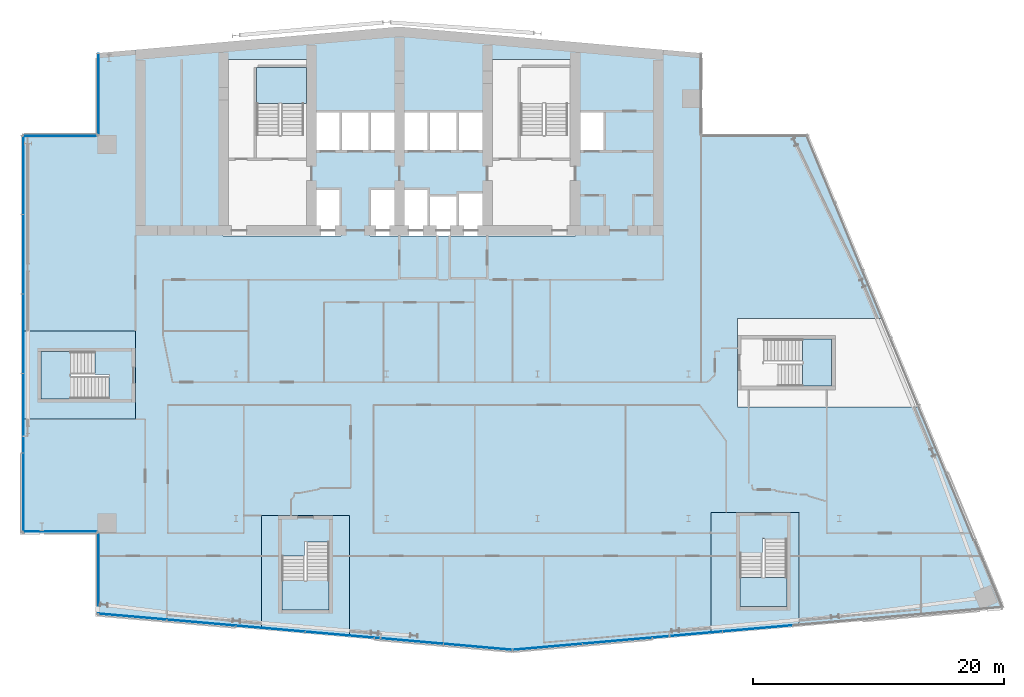
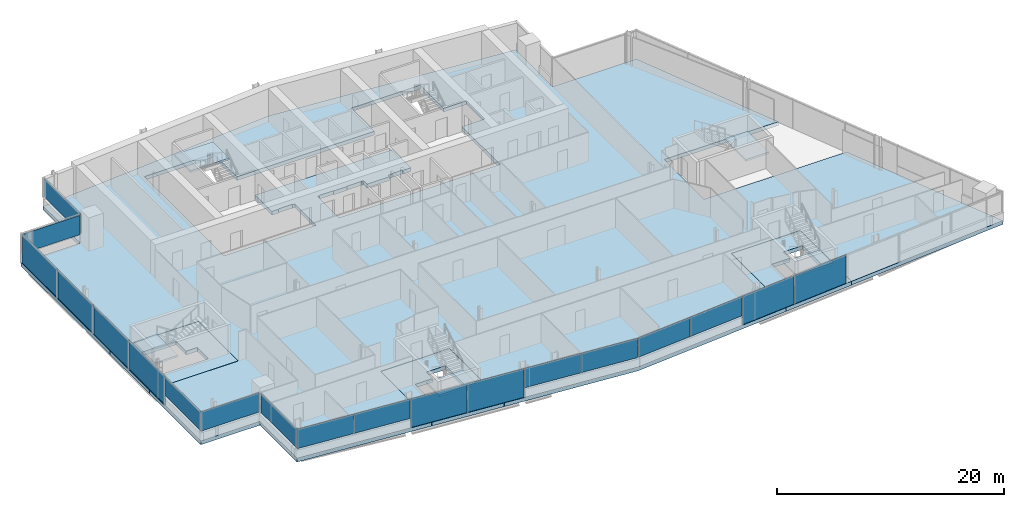
# One storey, part 13 of 24: 19 plates, 9 slabs, 12 elements without a shape of their own.
"""IFC4 building model written with IfcOpenShell, lengths in metres."""

from ifc_helpers import new_model, si_unit, direction, frame, origin, origin_2d, place, context, subcontext, project, spatial, polyline, rectangle, outline, extrude, material, layer, layer_set, type_object, element, aggregate, save


model = new_model("IFC4")

# Units and contexts
model_context = context("Model", 3, precision=1e-05, world=origin(), true_north=direction((0.0, 1.0)))
body_context = subcontext(model_context, "Body", "Model", "MODEL_VIEW")
ifc_project = project(units=[si_unit("LENGTHUNIT", "METRE"), si_unit("AREAUNIT", "SQUARE_METRE"), si_unit("VOLUMEUNIT", "CUBIC_METRE"), si_unit("PLANEANGLEUNIT", "RADIAN"), si_unit("MASSUNIT", "GRAM", prefix="KILO")], contexts=[model_context])

# Site, building, storey
site_placement = place(None, origin())
site = spatial("IfcSite", under=ifc_project, at=site_placement, CompositionType="ELEMENT")
building_placement = place(site_placement, origin())
building = spatial("IfcBuilding", under=site, at=building_placement, Name="Wharfspan Tower", CompositionType="ELEMENT")
storey_placement = place(building_placement, frame((0.0, 0.0, 198.699951)))
storey = spatial("IfcBuildingStorey", under=building, at=storey_placement, Name="L49", CompositionType="ELEMENT", Elevation=198.699951)

# Curtain wall, plates
ifc_material_1 = material(Name="Aluminium 6063-T6", Category="aluminium")
curtain_wall_type_1 = type_object("IfcCurtainWallType", Name="CURTAIN WALL FACETED FRONT", PredefinedType="NOTDEFINED", material=ifc_material_1)
curtain_wall_1_placement = place(storey_placement, origin())
curtain_wall_1 = element("IfcCurtainWall", 1, at=curtain_wall_1_placement, inside=storey, type_object=curtain_wall_type_1, Name="Curtain wall S1", PredefinedType="NOTDEFINED")
ifc_material_2 = material(Name="Glass clear low-iron double glazing", Category="glass")
ifc_layer_1 = layer(ifc_material_2, 0.040039)
ifc_layer_set_1 = layer_set([ifc_layer_1], Name="Glass clear low-iron double glazing")
plate_type_1 = type_object("IfcPlateType", Name="GLASS PANEL FACETED FRONT 40", PredefinedType="CURTAIN_PANEL", material=ifc_layer_set_1)
plate_1_placement = place(storey_placement, frame((15.770264, 3.692871, 1.0), z_axis=(0.0, 0.0, 1.0), x_axis=(0.996198, -0.087156, 0.0)))
plate_1 = element("IfcPlate", 2, at=plate_1_placement, type_object=plate_type_1, Name="Curtain wall S1 panel 1", PredefinedType="CURTAIN_PANEL", context=body_context, shape_type="SweptSolid", body=[
    extrude(rectangle(XDim=5.430908, YDim=0.040039, at=origin_2d()), origin(), (0.0, 0.0, 1.0), 2.070068),
])
plate_2_placement = place(storey_placement, frame((21.255127, 3.213135, 1.0), z_axis=(0.0, 0.0, 1.0), x_axis=(0.996198, -0.087156, 0.0)))
plate_2 = element("IfcPlate", 3, at=plate_2_placement, type_object=plate_type_1, Name="Curtain wall S1 panel 2", PredefinedType="CURTAIN_PANEL", context=body_context, shape_type="SweptSolid", body=[
    extrude(rectangle(XDim=5.460938, YDim=0.040039, at=origin_2d()), origin(), (0.0, 0.0, 1.0), 2.070068),
])
plate_3_placement = place(storey_placement, frame((37.755127, 1.769531, 1.0), z_axis=(0.0, 0.0, 1.0), x_axis=(0.996198, -0.087156, 0.0)))
plate_3 = element("IfcPlate", 4, at=plate_3_placement, type_object=plate_type_1, Name="Curtain wall S1 panel 5", PredefinedType="CURTAIN_PANEL", context=body_context, shape_type="SweptSolid", body=[
    extrude(rectangle(XDim=5.460938, YDim=0.040039, at=origin_2d()), origin(), (0.0, 0.0, 1.0), 2.070068),
])
plate_4_placement = place(storey_placement, frame((43.240234, 1.289551, 1.0), z_axis=(0.0, 0.0, 1.0), x_axis=(0.996198, -0.087156, 0.0)))
plate_4 = element("IfcPlate", 5, at=plate_4_placement, type_object=plate_type_1, Name="Curtain wall S1 panel 6", PredefinedType="CURTAIN_PANEL", context=body_context, shape_type="SweptSolid", body=[
    extrude(rectangle(XDim=5.430908, YDim=0.040039, at=origin_2d()), origin(), (0.0, 0.0, 1.0), 2.070068),
])

curtain_wall_2_placement = place(storey_placement, origin())
curtain_wall_2 = element("IfcCurtainWall", 6, at=curtain_wall_2_placement, inside=storey, type_object=curtain_wall_type_1, Name="Curtain wall S2", PredefinedType="NOTDEFINED")
plate_5_placement = place(storey_placement, frame((48.79541, 1.292725, 1.0), z_axis=(0.0, 0.0, 1.0), x_axis=(0.996198, 0.087156, 0.0)))
plate_5 = element("IfcPlate", 7, at=plate_5_placement, type_object=plate_type_1, Name="Curtain wall S2 panel 1", PredefinedType="CURTAIN_PANEL", context=body_context, shape_type="SweptSolid", body=[
    extrude(rectangle(XDim=5.502686, YDim=0.040039, at=origin_2d()), origin(), (0.0, 0.0, 1.0), 2.070068),
])
plate_6_placement = place(storey_placement, frame((54.351807, 1.778809, 1.0), z_axis=(0.0, 0.0, 1.0), x_axis=(0.996198, 0.087156, 0.0)))
plate_6 = element("IfcPlate", 8, at=plate_6_placement, type_object=plate_type_1, Name="Curtain wall S2 panel 2", PredefinedType="CURTAIN_PANEL", context=body_context, shape_type="SweptSolid", body=[
    extrude(rectangle(XDim=5.532715, YDim=0.040039, at=origin_2d()), origin(), (0.0, 0.0, 1.0), 2.070068),
])

# Curtain wall, plate
curtain_wall_type_2 = type_object("IfcCurtainWallType", Name="CURTAIN WALL PROW AND END", PredefinedType="NOTDEFINED", material=ifc_material_1)
curtain_wall_3_placement = place(storey_placement, origin())
curtain_wall_3 = element("IfcCurtainWall", 9, at=curtain_wall_3_placement, inside=storey, type_object=curtain_wall_type_2, Name="Curtain wall NRW-V", PredefinedType="NOTDEFINED")
ifc_layer_2 = layer(ifc_material_2, 0.040039)
ifc_layer_set_2 = layer_set([ifc_layer_2], Name="Glass clear low-iron double glazing")
plate_type_2 = type_object("IfcPlateType", Name="GLASS PANEL PROW AND END 40", PredefinedType="CURTAIN_PANEL", material=ifc_layer_set_2)
plate_7_placement = place(storey_placement, frame((13.080078, 45.262451, 1.0), z_axis=(0.0, 0.0, 1.0), x_axis=(0.0, -1.0, 0.0)))
plate_7 = element("IfcPlate", 10, at=plate_7_placement, type_object=plate_type_2, Name="Curtain wall NRW-V panel 1", PredefinedType="CURTAIN_PANEL", context=body_context, shape_type="SweptSolid", body=[
    extrude(rectangle(XDim=6.405029, YDim=0.040039, at=origin_2d()), origin(), (0.0, 0.0, 1.0), 2.070068),
])
aggregate(curtain_wall_3, [plate_7])

curtain_wall_4_placement = place(storey_placement, origin())
curtain_wall_4 = element("IfcCurtainWall", 11, at=curtain_wall_4_placement, inside=storey, type_object=curtain_wall_type_2, Name="Curtain wall NRW-H", PredefinedType="NOTDEFINED")
plate_8_placement = place(storey_placement, frame((10.0, 41.919922, 1.0), z_axis=(0.0, 0.0, 1.0), x_axis=(-1.0, 0.0, 0.0)))
plate_8 = element("IfcPlate", 12, at=plate_8_placement, type_object=plate_type_2, Name="Curtain wall NRW-H panel 1", PredefinedType="CURTAIN_PANEL", context=body_context, shape_type="SweptSolid", body=[
    extrude(rectangle(XDim=5.879883, YDim=0.040039, at=origin_2d()), origin(), (0.0, 0.0, 1.0), 2.070068),
])
aggregate(curtain_wall_4, [plate_8])

curtain_wall_5_placement = place(storey_placement, origin())
curtain_wall_5 = element("IfcCurtainWall", 13, at=curtain_wall_5_placement, inside=storey, type_object=curtain_wall_type_2, Name="Curtain wall W", PredefinedType="NOTDEFINED")
plate_9_placement = place(storey_placement, frame((7.080078, 13.574951, 1.0), z_axis=(0.0, 0.0, 1.0), x_axis=(0.0, -1.0, 0.0)))
plate_9 = element("IfcPlate", 14, at=plate_9_placement, type_object=plate_type_2, Name="Curtain wall W panel 5", PredefinedType="CURTAIN_PANEL", context=body_context, shape_type="SweptSolid", body=[
    extrude(rectangle(XDim=6.22998, YDim=0.040039, at=origin_2d()), origin(), (0.0, 0.0, 1.0), 2.070068),
])

curtain_wall_6_placement = place(storey_placement, origin())
curtain_wall_6 = element("IfcCurtainWall", 15, at=curtain_wall_6_placement, inside=storey, type_object=curtain_wall_type_2, Name="Curtain wall NFW-H", PredefinedType="NOTDEFINED")
plate_10_placement = place(storey_placement, frame((10.0, 10.47998, 1.0), z_axis=(0.0, 0.0, 1.0), x_axis=(1.0, 0.0, 0.0)))
plate_10 = element("IfcPlate", 16, at=plate_10_placement, type_object=plate_type_2, Name="Curtain wall NFW-H panel 1", PredefinedType="CURTAIN_PANEL", context=body_context, shape_type="SweptSolid", body=[
    extrude(rectangle(XDim=5.879883, YDim=0.040039, at=origin_2d()), origin(), (0.0, 0.0, 1.0), 2.070068),
])
aggregate(curtain_wall_6, [plate_10])

curtain_wall_7_placement = place(storey_placement, origin())
curtain_wall_7 = element("IfcCurtainWall", 17, at=curtain_wall_7_placement, inside=storey, type_object=curtain_wall_type_2, Name="Curtain wall NFW-V", PredefinedType="NOTDEFINED")
plate_11_placement = place(storey_placement, frame((13.080078, 7.137451, 1.0), z_axis=(0.0, 0.0, 1.0), x_axis=(0.0, -1.0, 0.0)))
plate_11 = element("IfcPlate", 18, at=plate_11_placement, type_object=plate_type_2, Name="Curtain wall NFW-V panel 1", PredefinedType="CURTAIN_PANEL", context=body_context, shape_type="SweptSolid", body=[
    extrude(rectangle(XDim=6.405029, YDim=0.040039, at=origin_2d()), origin(), (0.0, 0.0, 1.0), 2.070068),
])
aggregate(curtain_wall_7, [plate_11])

# Plate
ifc_material_3 = material(Name="Aluminium composite opaque insulated panel", Category="aluminium")
ifc_layer_3 = layer(ifc_material_3, 0.040039)
ifc_layer_set_3 = layer_set([ifc_layer_3], Name="Aluminium composite opaque insulated panel")
plate_type_3 = type_object("IfcPlateType", Name="INFILL PANEL FACETED FRONT OPAQUE 40", PredefinedType="SHEET", material=ifc_layer_set_3)
plate_12_placement = place(storey_placement, frame((26.755127, 2.731934, 0.0), z_axis=(0.0, 0.0, 1.0), x_axis=(0.996198, -0.087156, 0.0)))
plate_12 = element("IfcPlate", 19, at=plate_12_placement, type_object=plate_type_3, Name="Curtain wall S1 panel 3", PredefinedType="SHEET", context=body_context, shape_type="SweptSolid", body=[
    extrude(rectangle(XDim=5.460938, YDim=0.040039, at=origin_2d()), origin(), (0.0, 0.0, 1.0), 3.070068),
])

plate_13_placement = place(storey_placement, frame((32.255127, 2.250732, 0.0), z_axis=(0.0, 0.0, 1.0), x_axis=(0.996198, -0.087156, 0.0)))
plate_13 = element("IfcPlate", 20, at=plate_13_placement, type_object=plate_type_3, Name="Curtain wall S1 panel 4", PredefinedType="SHEET", context=body_context, shape_type="SweptSolid", body=[
    extrude(rectangle(XDim=5.460938, YDim=0.040039, at=origin_2d()), origin(), (0.0, 0.0, 1.0), 3.070068),
])

aggregate(curtain_wall_1, [plate_1, plate_2, plate_12, plate_13, plate_3, plate_4])

plate_14_placement = place(storey_placement, frame((59.92334, 2.266357, 0.0), z_axis=(0.0, 0.0, 1.0), x_axis=(0.996198, 0.087156, 0.0)))
plate_14 = element("IfcPlate", 21, at=plate_14_placement, type_object=plate_type_3, Name="Curtain wall S2 panel 3", PredefinedType="SHEET", context=body_context, shape_type="SweptSolid", body=[
    extrude(rectangle(XDim=5.532715, YDim=0.040039, at=origin_2d()), origin(), (0.0, 0.0, 1.0), 3.070068),
])

plate_15_placement = place(storey_placement, frame((65.494873, 2.753662, 0.0), z_axis=(0.0, 0.0, 1.0), x_axis=(0.996198, 0.087156, 0.0)))
plate_15 = element("IfcPlate", 22, at=plate_15_placement, type_object=plate_type_3, Name="Curtain wall S2 panel 4", PredefinedType="SHEET", context=body_context, shape_type="SweptSolid", body=[
    extrude(rectangle(XDim=5.532715, YDim=0.040039, at=origin_2d()), origin(), (0.0, 0.0, 1.0), 3.070068),
])

aggregate(curtain_wall_2, [plate_5, plate_6, plate_14, plate_15])

ifc_layer_4 = layer(ifc_material_3, 0.040039)
ifc_layer_set_4 = layer_set([ifc_layer_4], Name="Aluminium composite opaque insulated panel")
plate_type_4 = type_object("IfcPlateType", Name="INFILL PANEL PROW AND END OPAQUE 40", PredefinedType="SHEET", material=ifc_layer_set_4)
plate_16_placement = place(storey_placement, frame((7.080078, 38.824951, 0.0), z_axis=(0.0, 0.0, 1.0), x_axis=(0.0, -1.0, 0.0)))
plate_16 = element("IfcPlate", 23, at=plate_16_placement, type_object=plate_type_4, Name="Curtain wall W panel 1", PredefinedType="SHEET", context=body_context, shape_type="SweptSolid", body=[
    extrude(rectangle(XDim=6.22998, YDim=0.040039, at=origin_2d()), origin(), (0.0, 0.0, 1.0), 3.070068),
])

plate_17_placement = place(storey_placement, frame((7.080078, 32.52002, 0.0), z_axis=(0.0, 0.0, 1.0), x_axis=(0.0, -1.0, 0.0)))
plate_17 = element("IfcPlate", 24, at=plate_17_placement, type_object=plate_type_4, Name="Curtain wall W panel 2", PredefinedType="SHEET", context=body_context, shape_type="SweptSolid", body=[
    extrude(rectangle(XDim=6.26001, YDim=0.040039, at=origin_2d()), origin(), (0.0, 0.0, 1.0), 3.070068),
])

plate_18_placement = place(storey_placement, frame((7.080078, 26.199951, 0.0), z_axis=(0.0, 0.0, 1.0), x_axis=(0.0, -1.0, 0.0)))
plate_18 = element("IfcPlate", 25, at=plate_18_placement, type_object=plate_type_4, Name="Curtain wall W panel 3", PredefinedType="SHEET", context=body_context, shape_type="SweptSolid", body=[
    extrude(rectangle(XDim=6.26001, YDim=0.040039, at=origin_2d()), origin(), (0.0, 0.0, 1.0), 3.070068),
])

plate_19_placement = place(storey_placement, frame((7.080078, 19.879883, 0.0), z_axis=(0.0, 0.0, 1.0), x_axis=(0.0, -1.0, 0.0)))
plate_19 = element("IfcPlate", 26, at=plate_19_placement, type_object=plate_type_4, Name="Curtain wall W panel 4", PredefinedType="SHEET", context=body_context, shape_type="SweptSolid", body=[
    extrude(rectangle(XDim=6.26001, YDim=0.040039, at=origin_2d()), origin(), (0.0, 0.0, 1.0), 3.070068),
])

aggregate(curtain_wall_5, [plate_16, plate_17, plate_18, plate_19, plate_9])

# Slabs
ifc_material_4 = material(Name="Concrete C40/50", Category="concrete")
ifc_layer_5 = layer(ifc_material_4, 0.399902)
ifc_layer_set_5 = layer_set([ifc_layer_5], Name="Concrete C40/50")
slab_type_1 = type_object("IfcSlabType", Name="Post-tensioned flat slab 400", PredefinedType="FLOOR", material=ifc_layer_set_5)
slab_1_placement = place(storey_placement, frame((0.0, 0.0, -0.400146)))
element("IfcSlab", 27, at=slab_1_placement, inside=storey, type_object=slab_type_1, Name="Floor slab L49", PredefinedType="FLOOR", context=body_context, shape_type="SweptSolid", body=[
    extrude(outline(polyline([(26.029297, 2.735107), (26.029297, 11.744385), (33.049316, 11.744385), (33.049316, 2.121094), (46.0, 0.987793), (61.801514, 2.370361), (61.801514, 11.993652), (68.821289, 11.993652), (68.821289, 2.984619), (85.0, 4.399902), (78.398682, 20.389893), (63.894531, 20.389893), (63.894531, 27.409912), (75.500488, 27.409912), (69.477051, 42.0), (61.0, 42.0), (61.0, 48.524902), (37.0, 50.624756), (13.0, 48.524902), (13.0, 42.0), (7.0, 42.0), (7.0, 26.409912), (16.01001, 26.409912), (16.01001, 19.389893), (7.0, 19.389893), (7.0, 10.399902), (13.0, 10.399902), (13.0, 3.875), (26.029297, 2.735107)]), holes=[polyline([(32.126709, 37.76001), (32.343262, 37.76001), (32.343262, 33.98999), (22.98999, 33.98999), (22.98999, 48.01001), (30.01001, 48.01001), (30.01001, 43.909912), (43.98999, 43.909912), (43.98999, 48.01001), (51.01001, 48.01001), (51.01001, 43.909912), (53.343262, 43.909912), (53.343262, 40.689941), (51.01001, 40.689941), (51.01001, 33.98999), (34.656738, 33.98999), (34.656738, 37.76001), (34.873291, 37.76001), (34.873291, 37.810059), (36.293213, 37.810059), (36.293213, 37.76001), (37.666748, 37.76001), (37.666748, 37.810059), (39.166748, 37.810059), (39.166748, 37.76001), (39.343262, 37.76001), (39.343262, 37.209961), (41.656738, 37.209961), (41.656738, 37.459961), (42.023193, 37.459961), (42.023193, 37.51001), (43.143311, 37.51001), (43.143311, 37.459961), (43.98999, 37.459961), (43.98999, 40.689941), (30.01001, 40.689941), (30.01001, 37.76001), (30.706787, 37.76001), (30.706787, 37.810059), (32.126709, 37.810059), (32.126709, 37.76001)])]), origin(), (0.0, 0.0, 1.0), 0.400146),
])
slab_2_placement = place(storey_placement, frame((0.0, 0.0, -0.400146)))
element("IfcSlab", 28, at=slab_2_placement, inside=storey, type_object=slab_type_1, Name="Core floor slab L49 part 1", PredefinedType="FLOOR", context=body_context, shape_type="SweptSolid", body=[
    extrude(outline(polyline([(16.0, 20.725098), (16.0, 25.074951), (16.0, 26.399902), (7.0, 26.399902), (7.0, 19.399902), (16.0, 19.399902), (16.0, 20.725098)]), holes=[polyline([(13.900146, 24.7771), (13.900391, 24.7771), (13.900635, 24.776855), (13.900879, 24.776855), (13.900879, 24.776855), (13.901123, 24.776611), (13.901367, 24.776611), (13.901367, 24.776367), (13.901611, 24.776367), (13.901611, 24.776123), (13.901611, 24.775879), (12.779053, 24.775879), (12.779053, 22.974121), (13.9021, 22.974121), (13.9021, 21.024902), (13.9021, 21.024902), (13.9021, 21.024658), (13.901855, 21.024414), (13.901855, 21.02417), (13.901855, 21.02417), (13.901611, 21.023926), (13.901611, 21.023682), (13.901367, 21.023682), (13.901367, 21.023438), (13.901123, 21.023193), (13.900879, 21.023193), (13.900879, 21.023193), (13.900635, 21.023193), (13.900391, 21.022949), (13.900146, 21.022949), (13.899902, 21.022949), (8.5, 21.022949), (8.499756, 21.022949), (8.499512, 21.022949), (8.499512, 21.023193), (8.499268, 21.023193), (8.499023, 21.023193), (8.498779, 21.023193), (8.498779, 21.023438), (8.498535, 21.023682), (8.498535, 21.023682), (8.498291, 21.023926), (8.498291, 21.02417), (8.498291, 21.02417), (8.498047, 21.024414), (8.498047, 21.024658), (8.498047, 21.024902), (8.498047, 21.024902), (8.498047, 24.774902), (8.498047, 24.775146), (8.498047, 24.775391), (8.498047, 24.775635), (8.498291, 24.775879), (8.498291, 24.775879), (8.498291, 24.776123), (8.498535, 24.776367), (8.498535, 24.776367), (8.498779, 24.776611), (8.498779, 24.776611), (8.499023, 24.776855), (8.499268, 24.776855), (8.499512, 24.776855), (8.499512, 24.7771), (8.499756, 24.7771), (8.5, 24.7771), (13.899902, 24.7771), (13.900146, 24.7771)])]), origin(), (0.0, 0.0, 1.0), 0.400146),
])
slab_3_placement = place(storey_placement, frame((0.0, 0.0, -0.400146)))
element("IfcSlab", 29, at=slab_3_placement, inside=storey, type_object=slab_type_1, Name="Core floor slab L49 part 2", PredefinedType="FLOOR", context=body_context, shape_type="SweptSolid", body=[
    extrude(outline(polyline([(31.714111, 11.734375), (27.364258, 11.734375), (26.039307, 11.734375), (26.039307, 2.734375), (33.039307, 2.121826), (33.039307, 11.734375), (31.714111, 11.734375)]), holes=[polyline([(27.662109, 9.634521), (27.662354, 9.634766), (27.662354, 9.63501), (27.662354, 9.63501), (27.662598, 9.635254), (27.662598, 9.635498), (27.662598, 9.635498), (27.662842, 9.635742), (27.663086, 9.635742), (27.663086, 9.635986), (27.663086, 9.635986), (27.663086, 8.513184), (29.465088, 8.513184), (29.465088, 9.63623), (31.414307, 9.63623), (31.414307, 9.63623), (31.414551, 9.63623), (31.414795, 9.63623), (31.415039, 9.635986), (31.415283, 9.635986), (31.415283, 9.635986), (31.415527, 9.635742), (31.415527, 9.635742), (31.415771, 9.635498), (31.416016, 9.635498), (31.416016, 9.635254), (31.416016, 9.63501), (31.416016, 9.63501), (31.41626, 9.634766), (31.41626, 9.634521), (31.41626, 9.634277), (31.41626, 4.234375), (31.41626, 4.234131), (31.41626, 4.233887), (31.416016, 4.233643), (31.416016, 4.233398), (31.416016, 4.233398), (31.416016, 4.233154), (31.415771, 4.23291), (31.415527, 4.23291), (31.415527, 4.232666), (31.415283, 4.232666), (31.415283, 4.232422), (31.415039, 4.232422), (31.414795, 4.232422), (31.414551, 4.232422), (31.414307, 4.232422), (31.414307, 4.232422), (27.664307, 4.232422), (27.664062, 4.232422), (27.663818, 4.232422), (27.663574, 4.232422), (27.663574, 4.232422), (27.66333, 4.232422), (27.663086, 4.232666), (27.663086, 4.232666), (27.662842, 4.23291), (27.662598, 4.23291), (27.662598, 4.233154), (27.662598, 4.233398), (27.662354, 4.233398), (27.662354, 4.233643), (27.662354, 4.233887), (27.662109, 4.234131), (27.662109, 4.234375), (27.662109, 9.634277), (27.662109, 9.634521)])]), origin(), (0.0, 0.0, 1.0), 0.400146),
])
slab_4_placement = place(storey_placement, frame((0.0, 0.0, -0.400146)))
element("IfcSlab", 30, at=slab_4_placement, inside=storey, type_object=slab_type_1, Name="Core floor slab L49 part 4", PredefinedType="FLOOR", context=body_context, shape_type="SweptSolid", body=[
    extrude(outline(polyline([(68.811279, 11.983643), (68.136475, 11.983643), (63.786377, 11.983643), (61.811279, 11.983643), (61.811279, 2.371338), (68.811279, 2.983643), (68.811279, 11.983643)]), holes=[polyline([(64.084473, 9.883789), (64.084473, 9.884033), (64.084473, 9.884277), (64.084473, 9.884521), (64.084717, 9.884521), (64.084717, 9.884766), (64.084717, 9.88501), (64.084961, 9.88501), (64.085205, 9.885254), (64.085205, 9.885254), (64.085449, 9.885498), (64.085449, 8.762695), (65.887451, 8.762695), (65.887451, 9.885742), (67.836426, 9.885742), (67.836426, 9.885742), (67.83667, 9.885498), (67.836914, 9.885498), (67.837158, 9.885498), (67.837402, 9.885498), (67.837402, 9.885254), (67.837646, 9.885254), (67.837891, 9.88501), (67.837891, 9.88501), (67.837891, 9.884766), (67.838135, 9.884521), (67.838135, 9.884521), (67.838379, 9.884277), (67.838379, 9.884033), (67.838379, 9.883789), (67.838379, 9.883789), (67.838379, 4.483643), (67.838379, 4.483398), (67.838379, 4.483398), (67.838379, 4.483154), (67.838135, 4.48291), (67.838135, 4.482666), (67.837891, 4.482666), (67.837891, 4.482422), (67.837891, 4.482422), (67.837646, 4.482178), (67.837402, 4.481934), (67.837402, 4.481934), (67.837158, 4.481689), (67.836914, 4.481689), (67.83667, 4.481689), (67.836426, 4.481689), (67.836426, 4.481689), (64.086426, 4.481689), (64.086182, 4.481689), (64.085938, 4.481689), (64.085693, 4.481689), (64.085693, 4.481689), (64.085449, 4.481934), (64.085205, 4.481934), (64.085205, 4.482178), (64.084961, 4.482422), (64.084717, 4.482422), (64.084717, 4.482666), (64.084717, 4.482666), (64.084473, 4.48291), (64.084473, 4.483154), (64.084473, 4.483398), (64.084473, 4.483398), (64.084473, 4.483643), (64.084473, 9.883789), (64.084473, 9.883789)])]), origin(), (0.0, 0.0, 1.0), 0.400146),
])

# Stair, slab
stair_type = type_object("IfcStairType", Name="Half-turn stair 20 risers 180 mm", PredefinedType="HALF_TURN_STAIR", material=ifc_material_4)
stair_1_placement = place(storey_placement, origin())
stair_1 = element("IfcStair", 31, at=stair_1_placement, inside=storey, type_object=stair_type, Name="L49 stair ST1", PredefinedType="HALF_TURN_STAIR")
ifc_layer_6 = layer(ifc_material_4, 0.199951)
ifc_layer_set_6 = layer_set([ifc_layer_6], Name="Concrete C40/50")
slab_type_2 = type_object("IfcSlabType", Name="Stair landing 200", PredefinedType="LANDING", material=ifc_layer_set_6)
slab_5_placement = place(storey_placement, frame((0.0, 0.0, 1.599854)))
slab_5 = element("IfcSlab", 32, at=slab_5_placement, type_object=slab_type_2, Name="ST1 landing 1", PredefinedType="LANDING", context=body_context, shape_type="SweptSolid", body=[
    extrude(outline(polyline([(25.649902, 44.52002), (29.600098, 44.52002), (29.600098, 47.399902), (25.649902, 47.399902), (25.649902, 44.52002)])), origin(), (0.0, 0.0, 1.0), 0.200195),
])
aggregate(stair_1, [slab_5])

stair_2_placement = place(storey_placement, origin())
stair_2 = element("IfcStair", 33, at=stair_2_placement, inside=storey, type_object=stair_type, Name="L49 stair ST3", PredefinedType="HALF_TURN_STAIR")
slab_6_placement = place(storey_placement, frame((0.0, 0.0, 1.239746)))
slab_6 = element("IfcSlab", 34, at=slab_6_placement, type_object=slab_type_2, Name="ST3 landing 1", PredefinedType="LANDING", context=body_context, shape_type="SweptSolid", body=[
    extrude(outline(polyline([(10.820068, 24.774902), (8.5, 24.774902), (8.5, 21.024902), (10.820068, 21.024902), (10.820068, 24.774902)])), origin(), (0.0, 0.0, 1.0), 0.200195),
])
aggregate(stair_2, [slab_6])

stair_3_placement = place(storey_placement, origin())
stair_3 = element("IfcStair", 35, at=stair_3_placement, inside=storey, type_object=stair_type, Name="L49 stair ST4", PredefinedType="HALF_TURN_STAIR")
slab_7_placement = place(storey_placement, frame((0.0, 0.0, 1.239746)))
slab_7 = element("IfcSlab", 36, at=slab_7_placement, type_object=slab_type_2, Name="ST4 landing 1", PredefinedType="LANDING", context=body_context, shape_type="SweptSolid", body=[
    extrude(outline(polyline([(27.664307, 6.554199), (27.664307, 4.234375), (31.414307, 4.234375), (31.414307, 6.554199), (27.664307, 6.554199)])), origin(), (0.0, 0.0, 1.0), 0.200195),
])
aggregate(stair_3, [slab_7])

stair_4_placement = place(storey_placement, origin())
stair_4 = element("IfcStair", 37, at=stair_4_placement, inside=storey, type_object=stair_type, Name="L49 stair ST5", PredefinedType="HALF_TURN_STAIR")
slab_8_placement = place(storey_placement, frame((0.0, 0.0, 1.239746)))
slab_8 = element("IfcSlab", 38, at=slab_8_placement, type_object=slab_type_2, Name="ST5 landing 1", PredefinedType="LANDING", context=body_context, shape_type="SweptSolid", body=[
    extrude(outline(polyline([(64.086426, 6.803711), (64.086426, 4.483643), (67.836426, 4.483643), (67.836426, 6.803711), (64.086426, 6.803711)])), origin(), (0.0, 0.0, 1.0), 0.200195),
])
aggregate(stair_4, [slab_8])

stair_5_placement = place(storey_placement, origin())
stair_5 = element("IfcStair", 39, at=stair_5_placement, inside=storey, type_object=stair_type, Name="L49 stair ST6", PredefinedType="HALF_TURN_STAIR")
slab_9_placement = place(storey_placement, frame((0.0, 0.0, 1.239746)))
slab_9 = element("IfcSlab", 40, at=slab_9_placement, type_object=slab_type_2, Name="ST6 landing 1", PredefinedType="LANDING", context=body_context, shape_type="SweptSolid", body=[
    extrude(outline(polyline([(69.084473, 22.024902), (71.404541, 22.024902), (71.404541, 25.774902), (69.084473, 25.774902), (69.084473, 22.024902)])), origin(), (0.0, 0.0, 1.0), 0.200195),
])
aggregate(stair_5, [slab_9])

save(model, "model.ifc")
